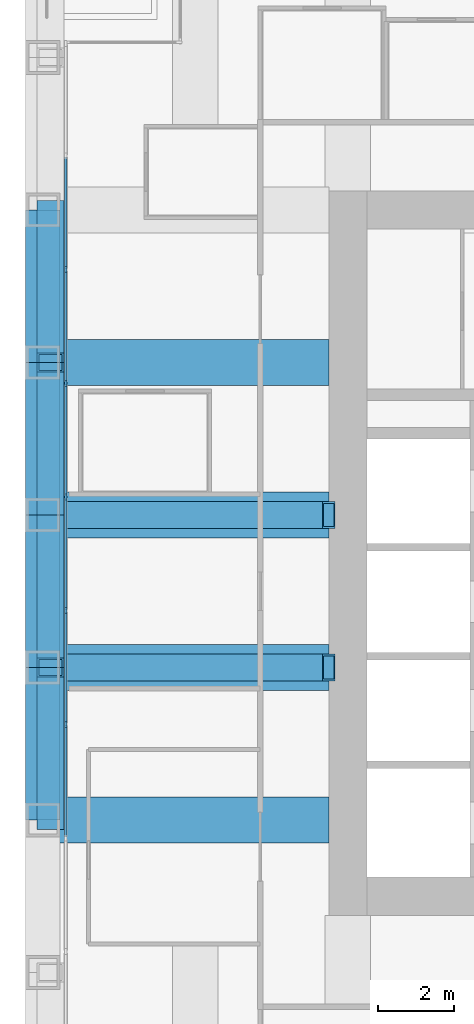
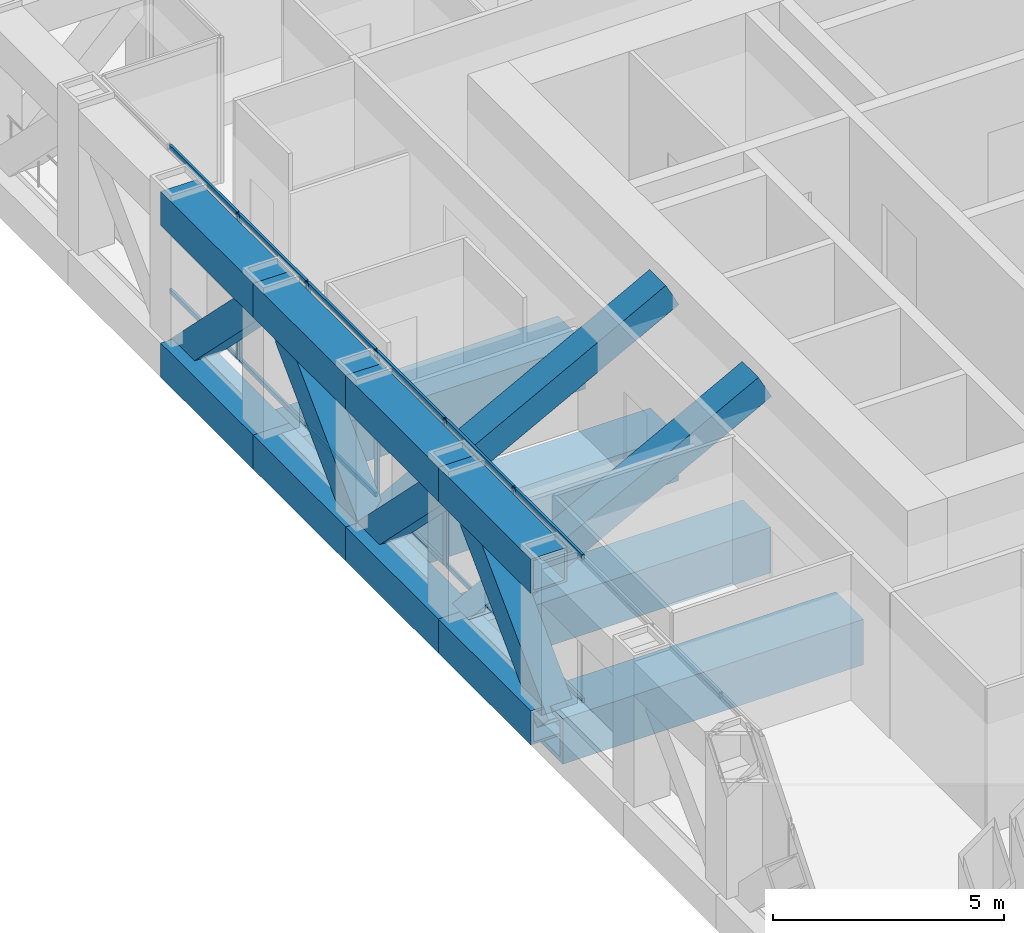
# One storey, part 4 of 17: 23 members, 12 beams, 1 element without a shape of its own.
"""IFC4 building model written with IfcOpenShell, lengths in metres."""

from ifc_helpers import new_model, si_unit, direction, frame, origin, origin_2d, place, context, subcontext, project, spatial, rectangle, hollow_rectangle, extrude, material, material_profile, profile_set, type_object, element, aggregate, save


model = new_model("IFC4")

# Units and contexts
model_context = context("Model", 3, precision=1e-05, world=origin(), true_north=direction((0.0, 1.0)))
body_context = subcontext(model_context, "Body", "Model", "MODEL_VIEW")
ifc_project = project(units=[si_unit("LENGTHUNIT", "METRE"), si_unit("AREAUNIT", "SQUARE_METRE"), si_unit("VOLUMEUNIT", "CUBIC_METRE"), si_unit("PLANEANGLEUNIT", "RADIAN"), si_unit("MASSUNIT", "GRAM", prefix="KILO")], contexts=[model_context])

# Site, building, storey
site_placement = place(None, origin())
site = spatial("IfcSite", under=ifc_project, at=site_placement, CompositionType="ELEMENT")
building_placement = place(site_placement, origin())
building = spatial("IfcBuilding", under=site, at=building_placement, Name="Rimbunsela Tower", CompositionType="ELEMENT")
storey_placement = place(building_placement, frame((0.0, 0.0, 238.199951171875)))
storey = spatial("IfcBuildingStorey", under=building, at=storey_placement, Name="L57", CompositionType="ELEMENT", Elevation=238.199951171875)

# Beams
ifc_material_1 = material(Name="Steel BJ 55 (fy 410 MPa)", Category="steel")
ifc_material_profile_1 = material_profile(ifc_material_1, hollow_rectangle(XDim=1.199951171875, YDim=1.199951171875, WallThickness=0.125, at=origin_2d()), Name="BOX 1200x1200x125")
ifc_profile_set_1 = profile_set([ifc_material_profile_1], Name="Steel BJ 55 (fy 410 MPa)")
beam_type_1 = type_object("IfcBeamType", Name="Beam BOX 1200x1200x125", PredefinedType="BEAM", material=ifc_profile_set_1)
for number, where, z_axis, x_axis, name in (
    (1, (10.0, 20.0, -0.75), (1.0, 0.0, 0.0), (0.0, 1.0, 0.0), "Beam B4 L57"),
    (2, (10.0, 24.0, -0.75), (1.0, 0.0, 0.0), (0.0, 1.0, 0.0), "Beam B4 L57"),
    (3, (10.0, 28.0, -0.75), (1.0, 0.0, 0.0), (0.0, 1.0, 0.0), "Beam B4 L57"),
    (4, (10.0, 32.0, -0.75), (1.0, 0.0, 0.0), (0.0, 1.0, 0.0), "Beam B4 L57"),
):
    element("IfcBeam", number, at=place(storey_placement, frame(where, z_axis=z_axis, x_axis=x_axis)), inside=storey, type_object=beam_type_1, Name=name, PredefinedType="BEAM", context=body_context, shape_type="SweptSolid", body=[
        extrude(hollow_rectangle(XDim=1.199951171875, YDim=1.199951171875, WallThickness=0.125, at=origin_2d()), origin(), (0.0, 0.0, 1.0), 7.5),
    ])

# Curtain wall, members
ifc_material_2 = material(Name="Aluminium curtain wall", Category="aluminium")
curtain_wall_type = type_object("IfcCurtainWallType", Name="Exoskeleton storey infill", PredefinedType="USERDEFINED", material=ifc_material_2)
curtain_wall_placement = place(storey_placement, origin())
curtain_wall = element("IfcCurtainWall", 5, at=curtain_wall_placement, inside=storey, type_object=curtain_wall_type, Name="Exoskeleton storey infill L57", ObjectType="EXOSKELETON STOREY INFILL", PredefinedType="USERDEFINED")
ifc_material_3 = material(Name="Aluminium mullion", Category="aluminium")
ifc_material_profile_2 = material_profile(ifc_material_3, rectangle(XDim=0.06005859375, YDim=0.159912109375, at=origin_2d()), Name="Mullion 60x160")
ifc_profile_set_2 = profile_set([ifc_material_profile_2], Name="Aluminium mullion")
member_type_1 = type_object("IfcMemberType", Name="Curtain wall mullion 60x160", PredefinedType="MULLION", material=ifc_profile_set_2)
member_1_placement = place(storey_placement, frame((10.60009765625, 34.436279296875, 0.0), z_axis=(0.0, 0.0, 1.0), x_axis=(1.0, 0.0, 0.0)))
member_1 = element("IfcMember", 6, at=member_1_placement, type_object=member_type_1, Name="CW2 mullion 3", PredefinedType="MULLION", context=body_context, shape_type="SweptSolid", body=[
    extrude(rectangle(XDim=0.06005859375, YDim=0.159912109375, at=origin_2d()), origin(), (0.0, 0.0, 1.0), 3.85009765625),
])
member_2_placement = place(storey_placement, frame((10.60009765625, 31.45458984375, 0.0), z_axis=(0.0, 0.0, 1.0), x_axis=(1.0, 0.0, 0.0)))
member_2 = element("IfcMember", 7, at=member_2_placement, type_object=member_type_1, Name="CW2 mullion 4", PredefinedType="MULLION", context=body_context, shape_type="SweptSolid", body=[
    extrude(rectangle(XDim=0.06005859375, YDim=0.159912109375, at=origin_2d()), origin(), (0.0, 0.0, 1.0), 3.85009765625),
])
member_3_placement = place(storey_placement, frame((10.60009765625, 28.47265625, 0.0), z_axis=(0.0, 0.0, 1.0), x_axis=(1.0, 0.0, 0.0)))
member_3 = element("IfcMember", 8, at=member_3_placement, type_object=member_type_1, Name="CW2 mullion 5", PredefinedType="MULLION", context=body_context, shape_type="SweptSolid", body=[
    extrude(rectangle(XDim=0.06005859375, YDim=0.159912109375, at=origin_2d()), origin(), (0.0, 0.0, 1.0), 3.85009765625),
])
member_4_placement = place(storey_placement, frame((10.60009765625, 25.490966796875, 0.0), z_axis=(0.0, 0.0, 1.0), x_axis=(1.0, 0.0, 0.0)))
member_4 = element("IfcMember", 9, at=member_4_placement, type_object=member_type_1, Name="CW2 mullion 6", PredefinedType="MULLION", context=body_context, shape_type="SweptSolid", body=[
    extrude(rectangle(XDim=0.06005859375, YDim=0.159912109375, at=origin_2d()), origin(), (0.0, 0.0, 1.0), 3.85009765625),
])
member_5_placement = place(storey_placement, frame((10.60009765625, 22.509033203125, 0.0), z_axis=(0.0, 0.0, 1.0), x_axis=(1.0, 0.0, 0.0)))
member_5 = element("IfcMember", 10, at=member_5_placement, type_object=member_type_1, Name="CW2 mullion 7", PredefinedType="MULLION", context=body_context, shape_type="SweptSolid", body=[
    extrude(rectangle(XDim=0.06005859375, YDim=0.159912109375, at=origin_2d()), origin(), (0.0, 0.0, 1.0), 3.85009765625),
])
ifc_material_4 = material(Name="Aluminium transom", Category="aluminium")
ifc_material_profile_3 = material_profile(ifc_material_4, rectangle(XDim=0.06005859375, YDim=0.1201171875, at=origin_2d()), Name="Transom 60x120")
ifc_profile_set_3 = profile_set([ifc_material_profile_3], Name="Aluminium transom")
member_type_2 = type_object("IfcMemberType", Name="Curtain wall transom 60x120", PredefinedType="USERDEFINED", material=ifc_profile_set_3)
member_6_placement = place(storey_placement, frame((10.60009765625, 37.38818359375, 0.030029296875), z_axis=(0.0, -1.0, 0.0), x_axis=(1.0, 0.0, 0.0)))
member_6 = element("IfcMember", 11, at=member_6_placement, type_object=member_type_2, Name="CW2 transom 2.1", ObjectType="TRANSOM", PredefinedType="USERDEFINED", context=body_context, shape_type="SweptSolid", body=[
    extrude(rectangle(XDim=0.06005859375, YDim=0.1201171875, at=origin_2d()), origin(), (0.0, 0.0, 1.0), 2.921875),
])
member_7_placement = place(storey_placement, frame((10.60009765625, 37.38818359375, 3.820068359375), z_axis=(0.0, -1.0, 0.0), x_axis=(1.0, 0.0, 0.0)))
member_7 = element("IfcMember", 12, at=member_7_placement, type_object=member_type_2, Name="CW2 transom 2.2", ObjectType="TRANSOM", PredefinedType="USERDEFINED", context=body_context, shape_type="SweptSolid", body=[
    extrude(rectangle(XDim=0.06005859375, YDim=0.1201171875, at=origin_2d()), origin(), (0.0, 0.0, 1.0), 2.921875),
])
member_8_placement = place(storey_placement, frame((10.60009765625, 34.40625, 0.030029296875), z_axis=(0.0, -1.0, 0.0), x_axis=(1.0, 0.0, 0.0)))
member_8 = element("IfcMember", 13, at=member_8_placement, type_object=member_type_2, Name="CW2 transom 3.1", ObjectType="TRANSOM", PredefinedType="USERDEFINED", context=body_context, shape_type="SweptSolid", body=[
    extrude(rectangle(XDim=0.06005859375, YDim=0.1201171875, at=origin_2d()), origin(), (0.0, 0.0, 1.0), 2.921630859375),
])
member_9_placement = place(storey_placement, frame((10.60009765625, 34.40625, 3.820068359375), z_axis=(0.0, -1.0, 0.0), x_axis=(1.0, 0.0, 0.0)))
member_9 = element("IfcMember", 14, at=member_9_placement, type_object=member_type_2, Name="CW2 transom 3.2", ObjectType="TRANSOM", PredefinedType="USERDEFINED", context=body_context, shape_type="SweptSolid", body=[
    extrude(rectangle(XDim=0.06005859375, YDim=0.1201171875, at=origin_2d()), origin(), (0.0, 0.0, 1.0), 2.921630859375),
])
member_10_placement = place(storey_placement, frame((10.60009765625, 31.424560546875, 0.030029296875), z_axis=(0.0, -1.0, 0.0), x_axis=(1.0, 0.0, 0.0)))
member_10 = element("IfcMember", 15, at=member_10_placement, type_object=member_type_2, Name="CW2 transom 4.1", ObjectType="TRANSOM", PredefinedType="USERDEFINED", context=body_context, shape_type="SweptSolid", body=[
    extrude(rectangle(XDim=0.06005859375, YDim=0.1201171875, at=origin_2d()), origin(), (0.0, 0.0, 1.0), 2.921875),
])
member_11_placement = place(storey_placement, frame((10.60009765625, 31.424560546875, 3.820068359375), z_axis=(0.0, -1.0, 0.0), x_axis=(1.0, 0.0, 0.0)))
member_11 = element("IfcMember", 16, at=member_11_placement, type_object=member_type_2, Name="CW2 transom 4.2", ObjectType="TRANSOM", PredefinedType="USERDEFINED", context=body_context, shape_type="SweptSolid", body=[
    extrude(rectangle(XDim=0.06005859375, YDim=0.1201171875, at=origin_2d()), origin(), (0.0, 0.0, 1.0), 2.921875),
])
member_12_placement = place(storey_placement, frame((10.60009765625, 28.442626953125, 0.030029296875), z_axis=(0.0, -1.0, 0.0), x_axis=(1.0, 0.0, 0.0)))
member_12 = element("IfcMember", 17, at=member_12_placement, type_object=member_type_2, Name="CW2 transom 5.1", ObjectType="TRANSOM", PredefinedType="USERDEFINED", context=body_context, shape_type="SweptSolid", body=[
    extrude(rectangle(XDim=0.06005859375, YDim=0.1201171875, at=origin_2d()), origin(), (0.0, 0.0, 1.0), 2.921630859375),
])
member_13_placement = place(storey_placement, frame((10.60009765625, 28.442626953125, 3.820068359375), z_axis=(0.0, -1.0, 0.0), x_axis=(1.0, 0.0, 0.0)))
member_13 = element("IfcMember", 18, at=member_13_placement, type_object=member_type_2, Name="CW2 transom 5.2", ObjectType="TRANSOM", PredefinedType="USERDEFINED", context=body_context, shape_type="SweptSolid", body=[
    extrude(rectangle(XDim=0.06005859375, YDim=0.1201171875, at=origin_2d()), origin(), (0.0, 0.0, 1.0), 2.921630859375),
])
member_14_placement = place(storey_placement, frame((10.60009765625, 25.4609375, 0.030029296875), z_axis=(0.0, -1.0, 0.0), x_axis=(1.0, 0.0, 0.0)))
member_14 = element("IfcMember", 19, at=member_14_placement, type_object=member_type_2, Name="CW2 transom 6.1", ObjectType="TRANSOM", PredefinedType="USERDEFINED", context=body_context, shape_type="SweptSolid", body=[
    extrude(rectangle(XDim=0.06005859375, YDim=0.1201171875, at=origin_2d()), origin(), (0.0, 0.0, 1.0), 2.921875),
])
member_15_placement = place(storey_placement, frame((10.60009765625, 25.4609375, 3.820068359375), z_axis=(0.0, -1.0, 0.0), x_axis=(1.0, 0.0, 0.0)))
member_15 = element("IfcMember", 20, at=member_15_placement, type_object=member_type_2, Name="CW2 transom 6.2", ObjectType="TRANSOM", PredefinedType="USERDEFINED", context=body_context, shape_type="SweptSolid", body=[
    extrude(rectangle(XDim=0.06005859375, YDim=0.1201171875, at=origin_2d()), origin(), (0.0, 0.0, 1.0), 2.921875),
])
member_16_placement = place(storey_placement, frame((10.60009765625, 22.47900390625, 0.030029296875), z_axis=(0.0, -1.0, 0.0), x_axis=(1.0, 0.0, 0.0)))
member_16 = element("IfcMember", 21, at=member_16_placement, type_object=member_type_2, Name="CW2 transom 7.1", ObjectType="TRANSOM", PredefinedType="USERDEFINED", context=body_context, shape_type="SweptSolid", body=[
    extrude(rectangle(XDim=0.06005859375, YDim=0.1201171875, at=origin_2d()), origin(), (0.0, 0.0, 1.0), 2.921630859375),
])
member_17_placement = place(storey_placement, frame((10.60009765625, 22.47900390625, 3.820068359375), z_axis=(0.0, -1.0, 0.0), x_axis=(1.0, 0.0, 0.0)))
member_17 = element("IfcMember", 22, at=member_17_placement, type_object=member_type_2, Name="CW2 transom 7.2", ObjectType="TRANSOM", PredefinedType="USERDEFINED", context=body_context, shape_type="SweptSolid", body=[
    extrude(rectangle(XDim=0.06005859375, YDim=0.1201171875, at=origin_2d()), origin(), (0.0, 0.0, 1.0), 2.921630859375),
])
aggregate(curtain_wall, [member_1, member_2, member_3, member_4, member_5, member_6, member_7, member_8, member_9, member_10, member_11, member_12, member_13, member_14, member_15, member_16, member_17])

# Members
ifc_material_5 = material(Name="Steel BJ 55 (fy 410 MPa)", Category="steel")
ifc_material_profile_4 = material_profile(ifc_material_5, hollow_rectangle(XDim=0.699951171875, YDim=0.699951171875, WallThickness=0.050048828125, at=origin_2d()), Name="BOX 700x700x50")
ifc_profile_set_4 = profile_set([ifc_material_profile_4], Name="Steel BJ 55 (fy 410 MPa)")
member_type_3 = type_object("IfcMemberType", Name="Outrigger brace BOX 700x700x50", PredefinedType="BRACE", material=ifc_profile_set_4)
for number, where, z_axis, x_axis, name in (
    (23, (10.0, 28.0, -0.599853515625), (0.882352941176, 0.0, 0.470588235294), (0.0, 1.0, 0.0), "Outrigger brace OB2 W L57"),
    (24, (10.0, 24.0, -0.599853515625), (0.882352941176, 0.0, 0.470588235294), (0.0, 1.0, 0.0), "Outrigger brace OB2 W L57"),
):
    element("IfcMember", number, at=place(storey_placement, frame(where, z_axis=z_axis, x_axis=x_axis)), inside=storey, type_object=member_type_3, Name=name, PredefinedType="BRACE", context=body_context, shape_type="SweptSolid", body=[
        extrude(hollow_rectangle(XDim=0.699951171875, YDim=0.699951171875, WallThickness=0.050048828125, at=origin_2d()), origin(), (0.0, 0.0, 1.0), 8.5),
    ])

# Beams
ifc_material_6 = material(Name="Steel BJ 55 (fy 410 MPa)", Category="steel")
ifc_material_profile_5 = material_profile(ifc_material_6, hollow_rectangle(XDim=0.89990234375, YDim=0.89990234375, WallThickness=0.06005859375, at=origin_2d()), Name="BOX 900x900x60")
ifc_profile_set_5 = profile_set([ifc_material_profile_5], Name="Steel BJ 55 (fy 410 MPa)")
beam_type_2 = type_object("IfcBeamType", Name="Truss chord BOX 900x900x60", PredefinedType="USERDEFINED", material=ifc_profile_set_5)
for number, where, z_axis, x_axis, name in (
    (25, (10.0, 20.0, 3.400146484375), (0.0, 1.0, 0.0), (-1.0, 0.0, 0.0), "Truss top chord TC4 W face L57"),
    (26, (10.0, 24.0, 3.400146484375), (0.0, 1.0, 0.0), (-1.0, 0.0, 0.0), "Truss top chord TC4 W face L57"),
    (27, (10.0, 28.0, 3.400146484375), (0.0, 1.0, 0.0), (-1.0, 0.0, 0.0), "Truss top chord TC4 W face L57"),
    (28, (10.0, 32.0, 3.400146484375), (0.0, 1.0, 0.0), (-1.0, 0.0, 0.0), "Truss top chord TC4 W face L57"),
    (29, (10.0, 20.0, -0.599853515625), (0.0, 1.0, 0.0), (-1.0, 0.0, 0.0), "Truss bottom chord TC4 W face L57"),
    (30, (10.0, 24.0, -0.599853515625), (0.0, 1.0, 0.0), (-1.0, 0.0, 0.0), "Truss bottom chord TC4 W face L57"),
    (31, (10.0, 28.0, -0.599853515625), (0.0, 1.0, 0.0), (-1.0, 0.0, 0.0), "Truss bottom chord TC4 W face L57"),
    (32, (10.0, 32.0, -0.599853515625), (0.0, 1.0, 0.0), (-1.0, 0.0, 0.0), "Truss bottom chord TC4 W face L57"),
):
    element("IfcBeam", number, at=place(storey_placement, frame(where, z_axis=z_axis, x_axis=x_axis)), inside=storey, type_object=beam_type_2, Name=name, ObjectType="TRUSS CHORD", PredefinedType="USERDEFINED", context=body_context, shape_type="SweptSolid", body=[
        extrude(hollow_rectangle(XDim=0.89990234375, YDim=0.89990234375, WallThickness=0.06005859375, at=origin_2d()), origin(), (0.0, 0.0, 1.0), 4.0),
    ])

# Members
ifc_material_7 = material(Name="Steel BJ 55 (fy 410 MPa)", Category="steel")
ifc_material_profile_6 = material_profile(ifc_material_7, hollow_rectangle(XDim=0.699951171875, YDim=0.699951171875, WallThickness=0.050048828125, at=origin_2d()), Name="BOX 700x700x50")
ifc_profile_set_6 = profile_set([ifc_material_profile_6], Name="Steel BJ 55 (fy 410 MPa)")
member_type_4 = type_object("IfcMemberType", Name="Truss diagonal BOX 700x700x50", PredefinedType="BRACE", material=ifc_profile_set_6)
for number, where, z_axis, x_axis, name in (
    (33, (10.199951171875, 20.0, -0.599853515625), (0.0, 0.707106781187, 0.707106781187), (-1.0, 0.0, 0.0), "Truss diagonal TD4 W face L57"),
    (34, (10.199951171875, 24.0, 3.400146484375), (0.0, 0.707106781187, -0.707106781187), (-1.0, 0.0, 0.0), "Truss diagonal TD4 W face L57"),
    (35, (10.199951171875, 28.0, -0.599853515625), (0.0, 0.707106781187, 0.707106781187), (-1.0, 0.0, 0.0), "Truss diagonal TD4 W face L57"),
    (36, (10.199951171875, 32.0, 3.400146484375), (0.0, 0.707106781187, -0.707106781187), (-1.0, 0.0, 0.0), "Truss diagonal TD4 W face L57"),
):
    element("IfcMember", number, at=place(storey_placement, frame(where, z_axis=z_axis, x_axis=x_axis)), inside=storey, type_object=member_type_4, Name=name, PredefinedType="BRACE", context=body_context, shape_type="SweptSolid", body=[
        extrude(hollow_rectangle(XDim=0.699951171875, YDim=0.699951171875, WallThickness=0.050048828125, at=origin_2d()), origin(), (0.0, 0.0, 1.0), 5.65673828125),
    ])

save(model, "model.ifc")
